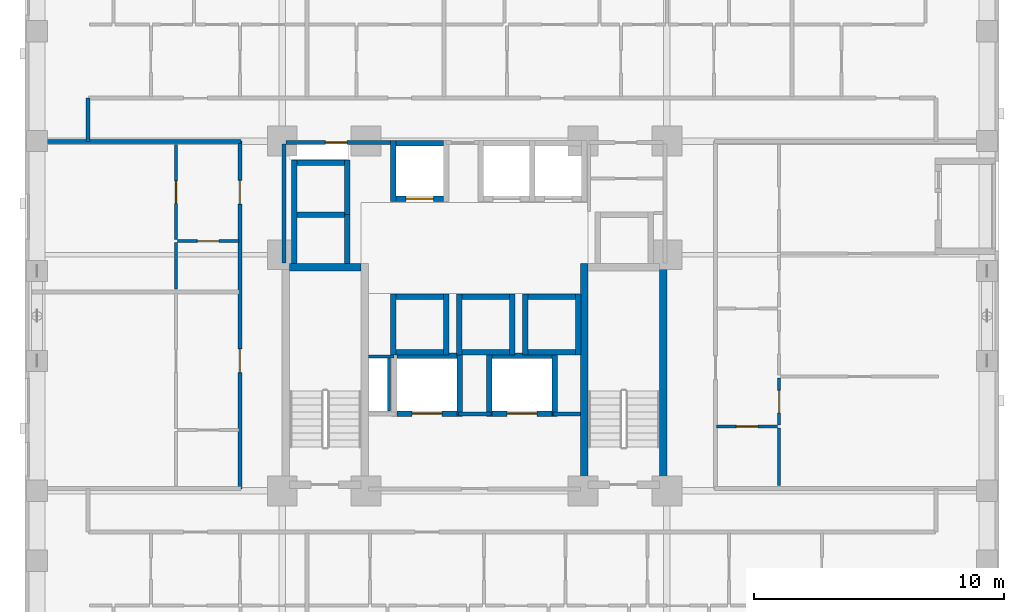
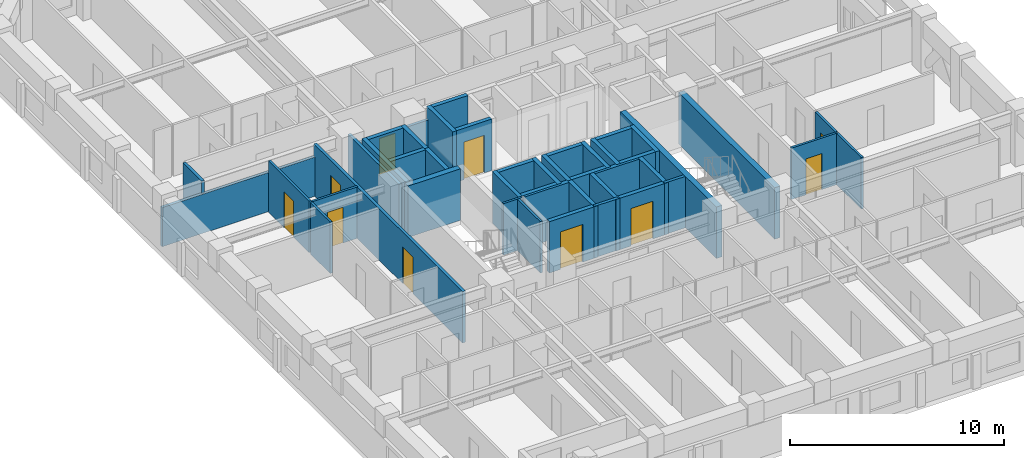
# One storey, part 5 of 14: 45 walls, 10 doors, 10 openings.
"""IFC4 building model written with IfcOpenShell, lengths in metres."""

from ifc_helpers import new_model, si_unit, derived_unit, direction, frame, frame_2d, origin, place, context, subcontext, project, spatial, rectangle, extrude, material, layer, layer_set, type_object, element, fill, save


model = new_model("IFC4")

# Units and contexts
model_context = context("Model", 3, precision=1e-05, world=origin(), true_north=direction((0.0, 1.0)))
body_context = subcontext(model_context, "Body", "Model", "MODEL_VIEW")
ifc_project = project(units=[si_unit("LENGTHUNIT", "METRE"), si_unit("AREAUNIT", "SQUARE_METRE"), si_unit("VOLUMEUNIT", "CUBIC_METRE"), si_unit("PLANEANGLEUNIT", "RADIAN"), si_unit("MASSUNIT", "GRAM", prefix="KILO"), derived_unit("THERMALTRANSMITTANCEUNIT", [(si_unit("MASSUNIT", "GRAM", prefix="KILO"), 1), (si_unit("TIMEUNIT", "SECOND"), -3), (si_unit("THERMODYNAMICTEMPERATUREUNIT", "KELVIN"), -1)])], contexts=[model_context])

# Site, building, storey
site_placement = place(None, origin())
site = spatial("IfcSite", under=ifc_project, at=site_placement, CompositionType="ELEMENT")
building_placement = place(site_placement, origin())
building = spatial("IfcBuilding", under=site, at=building_placement, Name="Korrvale Station Residences", CompositionType="ELEMENT")
storey_placement = place(building_placement, frame((0.0, 0.0, 61.0)))
storey = spatial("IfcBuildingStorey", under=building, at=storey_placement, Name="L16", CompositionType="ELEMENT", Elevation=61.0)

# Walls
ifc_material_1 = material(Name="Concrete C70/85", Category="concrete")
ifc_layer_1 = layer(ifc_material_1, 0.300048828125, Name="Concrete C70/85")
ifc_layer_set_1 = layer_set([ifc_layer_1], Name="Concrete C70/85")
wall_type_1 = type_object("IfcWallType", Name="WAL-CORE-300-C70", PredefinedType="SHEAR", material=ifc_layer_set_1)
wall_1_placement = place(storey_placement, frame((18.10009765625, 23.949951171875, 0.0), z_axis=(0.0, 0.0, 1.0), x_axis=(1.0, 0.0, 0.0)))
element("IfcWall", 1, at=wall_1_placement, inside=storey, type_object=wall_type_1, Name="L16 ST-1 Core Shear Wall North", PredefinedType="SHEAR", context=body_context, shape_type="SweptSolid", body=[
    extrude(rectangle(XDim=2.849853515625, YDim=0.300048828125, at=frame_2d((1.4248046875, 0.0))), origin(), (0.0, 0.0, 1.0), 2.93994140625),
])
for number, where, z_axis, x_axis, name in (
    (2, (29.89990234375, 15.10009765625, 0.0), (0.0, 0.0, 1.0), (0.0, 1.0, 0.0), "L16 ST-2 Core Shear Wall West"),
    (3, (33.050048828125, 15.10009765625, 0.0), (0.0, 0.0, 1.0), (0.0, 1.0, 0.0), "L16 ST-2 Core Shear Wall East"),
):
    element("IfcWall", number, at=place(storey_placement, frame(where, z_axis=z_axis, x_axis=x_axis)), inside=storey, type_object=wall_type_1, Name=name, PredefinedType="SHEAR", context=body_context, shape_type="SweptSolid", body=[
        extrude(rectangle(XDim=9.0, YDim=0.300048828125, at=frame_2d((4.5, 0.0))), origin(), (0.0, 0.0, 1.0), 2.93994140625),
    ])
ifc_material_2 = material(Name="Acoustic steel-stud gypsum board partition", Category="steel")
ifc_layer_2 = layer(ifc_material_2, 0.1201171875, Name="Acoustic steel-stud gypsum board partition")
ifc_layer_set_2 = layer_set([ifc_layer_2], Name="Acoustic steel-stud gypsum board partition")
wall_type_2 = type_object("IfcWallType", Name="WAL-PART-125", PredefinedType="PARTITIONING", material=ifc_layer_set_2)
wall_2_placement = place(storey_placement, frame((22.080078125, 18.199951171875, 0.0), z_axis=(0.0, 0.0, 1.0), x_axis=(0.0, 1.0, 0.0)))
element("IfcWall", 4, at=wall_2_placement, inside=storey, type_object=wall_type_2, Name="L16 Core Partition CW-RSWT", PredefinedType="PARTITIONING", context=body_context, shape_type="SweptSolid", body=[
    extrude(rectangle(XDim=2.1201171875, YDim=0.1201171875, at=frame_2d((1.06005859375, 0.0))), origin(), (0.0, 0.0, 1.0), 2.93994140625),
])
wall_3_placement = place(storey_placement, frame((22.280029296875, 20.3798828125, 0.0), z_axis=(0.0, 0.0, 1.0), x_axis=(-1.0, 0.0, 0.0)))
element("IfcWall", 5, at=wall_3_placement, inside=storey, type_object=wall_type_2, Name="L16 Core Partition CW-RSWT-N", PredefinedType="PARTITIONING", context=body_context, shape_type="SweptSolid", body=[
    extrude(rectangle(XDim=1.02001953125, YDim=0.1201171875, at=frame_2d((0.510009765625, 0.0))), origin(), (0.0, 0.0, 1.0), 2.93994140625),
])

# Wall, opening, door
wall_4_placement = place(storey_placement, frame((13.610107421875, 24.991943359375, 0.0), z_axis=(0.0, 0.0, 1.0), x_axis=(1.0, 0.0, 0.0)))
wall_4 = element("IfcWall", 6, at=wall_4_placement, inside=storey, type_object=wall_type_2, Name="L16 Suite Partition U08-H01", PredefinedType="PARTITIONING", context=body_context, shape_type="SweptSolid", body=[
    extrude(rectangle(XDim=2.449951171875, YDim=0.1201171875, at=frame_2d((1.22509765625, 0.0))), origin(), (0.0, 0.0, 1.0), 2.93994140625),
])
opening_1_placement = place(wall_4_placement, frame((0.794921875, 0.0, 0.0)))
opening_1 = element("IfcOpeningElement", 7, at=opening_1_placement, cuts=wall_4, Name="Opening DB-860", PredefinedType="OPENING", context=body_context, shape_type="SweptSolid", body=[
    extrude(rectangle(XDim=0.860107421875, YDim=2.050048828125, at=frame_2d((0.43017578125, 1.02490234375))), frame((0.0, 0.070068359375, 0.0), z_axis=(0.0, -1.0, 0.0), x_axis=(1.0, 0.0, 0.0)), (0.0, 0.0, 1.0), 0.14013671875),
])
ifc_material_3 = material(Name="Moisture-resistant solid-core bathroom door", Category="timber")
door_type_1 = type_object("IfcDoorType", Name="DR-BATH-860", OperationType="NOTDEFINED", PredefinedType="DOOR", material=ifc_material_3)
door_1_placement = place(opening_1_placement, origin())
door_1 = element("IfcDoor", 8, at=door_1_placement, inside=storey, type_object=door_type_1, Name="L16 Apartment 1BR L16-U08 Bathroom Door", OperationType="SINGLE_SWING_RIGHT", OverallHeight=2.050048828125, OverallWidth=0.860107421875, PredefinedType="DOOR", context=body_context, shape_type="SweptSolid", body=[
    extrude(rectangle(XDim=0.860107421875, YDim=2.050048828125, at=frame_2d((0.43017578125, 1.02490234375))), frame((0.0, 0.02490234375, 0.0), z_axis=(0.0, -1.0, 0.0), x_axis=(1.0, 0.0, 0.0)), (0.0, 0.0, 1.0), 0.050048828125),
])
fill(opening_1, door_1)

# Wall
wall_5_placement = place(storey_placement, frame((13.550048828125, 23.08203125, 0.0), z_axis=(0.0, 0.0, 1.0), x_axis=(0.0, 1.0, 0.0)))
element("IfcWall", 9, at=wall_5_placement, inside=storey, type_object=wall_type_2, Name="L16 Suite Partition U08-V02", PredefinedType="PARTITIONING", context=body_context, shape_type="SweptSolid", body=[
    extrude(rectangle(XDim=1.849853515625, YDim=0.1201171875, at=frame_2d((0.9248046875, 0.0))), origin(), (0.0, 0.0, 1.0), 2.93994140625),
])

# Wall, opening, door
wall_6_placement = place(storey_placement, frame((13.550048828125, 25.052001953125, 0.0), z_axis=(0.0, 0.0, 1.0), x_axis=(0.0, 1.0, 0.0)))
wall_6 = element("IfcWall", 10, at=wall_6_placement, inside=storey, type_object=wall_type_2, Name="L16 Suite Partition U08-V12", PredefinedType="PARTITIONING", context=body_context, shape_type="SweptSolid", body=[
    extrude(rectangle(XDim=3.80810546875, YDim=0.1201171875, at=frame_2d((1.904052734375, 0.0))), origin(), (0.0, 0.0, 1.0), 2.93994140625),
])
opening_2_placement = place(wall_6_placement, frame((1.4541015625, 0.0, 0.0)))
opening_2 = element("IfcOpeningElement", 11, at=opening_2_placement, cuts=wall_6, Name="Opening DI-900", PredefinedType="OPENING", context=body_context, shape_type="SweptSolid", body=[
    extrude(rectangle(XDim=0.89990234375, YDim=2.050048828125, at=frame_2d((0.449951171875, 1.02490234375))), frame((0.0, 0.070068359375, 0.0), z_axis=(0.0, -1.0, 0.0), x_axis=(1.0, 0.0, 0.0)), (0.0, 0.0, 1.0), 0.14013671875),
])
ifc_material_4 = material(Name="Painted solid-core timber interior room door", Category="wood")
door_type_2 = type_object("IfcDoorType", Name="DR-INT-900", OperationType="NOTDEFINED", PredefinedType="DOOR", material=ifc_material_4)
door_2_placement = place(opening_2_placement, origin())
door_2 = element("IfcDoor", 12, at=door_2_placement, inside=storey, type_object=door_type_2, Name="L16 Apartment 1BR L16-U08 Kitchen Door", OperationType="SINGLE_SWING_LEFT", OverallHeight=2.050048828125, OverallWidth=0.89990234375, PredefinedType="DOOR", context=body_context, shape_type="SweptSolid", body=[
    extrude(rectangle(XDim=0.89990234375, YDim=2.050048828125, at=frame_2d((0.449951171875, 1.02490234375))), frame((0.0, 0.02490234375, 0.0), z_axis=(0.0, -1.0, 0.0), x_axis=(1.0, 0.0, 0.0)), (0.0, 0.0, 1.0), 0.050048828125),
])
fill(opening_2, door_2)

wall_7_placement = place(storey_placement, frame((35.18994140625, 17.570068359375, 0.0), z_axis=(0.0, 0.0, 1.0), x_axis=(1.0, 0.0, 0.0)))
wall_7 = element("IfcWall", 13, at=wall_7_placement, inside=storey, type_object=wall_type_2, Name="L16 Suite Partition U09-H12", PredefinedType="PARTITIONING", context=body_context, shape_type="SweptSolid", body=[
    extrude(rectangle(XDim=2.449951171875, YDim=0.1201171875, at=frame_2d((1.22509765625, 0.0))), origin(), (0.0, 0.0, 1.0), 2.93994140625),
])
opening_3_placement = place(wall_7_placement, frame((0.794921875, 0.0, 0.0)))
opening_3 = element("IfcOpeningElement", 14, at=opening_3_placement, cuts=wall_7, Name="Opening DB-860", PredefinedType="OPENING", context=body_context, shape_type="SweptSolid", body=[
    extrude(rectangle(XDim=0.860107421875, YDim=2.050048828125, at=frame_2d((0.43017578125, 1.02490234375))), frame((0.0, 0.070068359375, 0.0), z_axis=(0.0, -1.0, 0.0), x_axis=(1.0, 0.0, 0.0)), (0.0, 0.0, 1.0), 0.14013671875),
])
door_3_placement = place(opening_3_placement, origin())
door_3 = element("IfcDoor", 15, at=door_3_placement, inside=storey, type_object=door_type_1, Name="L16 Apartment 2BR L16-U09 Bathroom Door", OperationType="SINGLE_SWING_LEFT", OverallHeight=2.050048828125, OverallWidth=0.860107421875, PredefinedType="DOOR", context=body_context, shape_type="SweptSolid", body=[
    extrude(rectangle(XDim=0.860107421875, YDim=2.050048828125, at=frame_2d((0.43017578125, 1.02490234375))), frame((0.0, 0.02490234375, 0.0), z_axis=(0.0, -1.0, 0.0), x_axis=(1.0, 0.0, 0.0)), (0.0, 0.0, 1.0), 0.050048828125),
])
fill(opening_3, door_3)

# Wall
wall_8_placement = place(storey_placement, frame((37.699951171875, 15.2099609375, 0.0), z_axis=(0.0, 0.0, 1.0), x_axis=(0.0, 1.0, 0.0)))
element("IfcWall", 16, at=wall_8_placement, inside=storey, type_object=wall_type_2, Name="L16 Suite Partition U09-V13", PredefinedType="PARTITIONING", context=body_context, shape_type="SweptSolid", body=[
    extrude(rectangle(XDim=2.300048828125, YDim=0.1201171875, at=frame_2d((1.14990234375, 0.0))), origin(), (0.0, 0.0, 1.0), 2.93994140625),
])

# Wall, opening, door
wall_9_placement = place(storey_placement, frame((37.699951171875, 17.6298828125, 0.0), z_axis=(0.0, 0.0, 1.0), x_axis=(0.0, 1.0, 0.0)))
wall_9 = element("IfcWall", 17, at=wall_9_placement, inside=storey, type_object=wall_type_2, Name="L16 Suite Partition U09-V23", PredefinedType="PARTITIONING", context=body_context, shape_type="SweptSolid", body=[
    extrude(rectangle(XDim=1.88818359375, YDim=0.1201171875, at=frame_2d((0.944091796875, 0.0))), origin(), (0.0, 0.0, 1.0), 2.93994140625),
])
opening_4_placement = place(wall_9_placement, frame((0.493896484375, 0.0, 0.0)))
opening_4 = element("IfcOpeningElement", 18, at=opening_4_placement, cuts=wall_9, Name="Opening DI-900", PredefinedType="OPENING", context=body_context, shape_type="SweptSolid", body=[
    extrude(rectangle(XDim=0.89990234375, YDim=2.050048828125, at=frame_2d((0.449951171875, 1.02490234375))), frame((0.0, 0.070068359375, 0.0), z_axis=(0.0, -1.0, 0.0), x_axis=(1.0, 0.0, 0.0)), (0.0, 0.0, 1.0), 0.14013671875),
])
door_4_placement = place(opening_4_placement, origin())
door_4 = element("IfcDoor", 19, at=door_4_placement, inside=storey, type_object=door_type_2, Name="L16 Apartment 2BR L16-U09 Kitchen Door", OperationType="SINGLE_SWING_RIGHT", OverallHeight=2.050048828125, OverallWidth=0.89990234375, PredefinedType="DOOR", context=body_context, shape_type="SweptSolid", body=[
    extrude(rectangle(XDim=0.89990234375, YDim=2.050048828125, at=frame_2d((0.449951171875, 1.02490234375))), frame((0.0, 0.02490234375, 0.0), z_axis=(0.0, -1.0, 0.0), x_axis=(1.0, 0.0, 0.0)), (0.0, 0.0, 1.0), 0.050048828125),
])
fill(opening_4, door_4)

# Walls
ifc_material_5 = material(Name="Fire-rated twin-stud gypsum and mineral wool shaftwall assembly", Category="gypsum")
ifc_layer_3 = layer(ifc_material_5, 0.159912109375, Name="Fire-rated twin-stud gypsum and mineral wool shaftwall assembly")
ifc_layer_set_3 = layer_set([ifc_layer_3], Name="Fire-rated twin-stud gypsum and mineral wool shaftwall assembly")
wall_type_3 = type_object("IfcWallType", Name="WAL-PART-200", PredefinedType="PARTITIONING", material=ifc_layer_set_3)
wall_10_placement = place(storey_placement, frame((24.85009765625, 18.080078125, 0.0), z_axis=(0.0, 0.0, 1.0), x_axis=(1.0, 0.0, 0.0)))
element("IfcWall", 20, at=wall_10_placement, inside=storey, type_object=wall_type_3, Name="L16 Core Partition CW-FFL-N2", PredefinedType="PARTITIONING", context=body_context, shape_type="SweptSolid", body=[
    extrude(rectangle(XDim=1.2998046875, YDim=0.159912109375, at=frame_2d((0.64990234375, 0.0))), origin(), (0.0, 0.0, 1.0), 2.93994140625),
])
wall_11_placement = place(storey_placement, frame((28.64990234375, 18.080078125, 0.0), z_axis=(0.0, 0.0, 1.0), x_axis=(1.0, 0.0, 0.0)))
element("IfcWall", 21, at=wall_11_placement, inside=storey, type_object=wall_type_3, Name="L16 Core Partition CW-FFL-N3", PredefinedType="PARTITIONING", context=body_context, shape_type="SweptSolid", body=[
    extrude(rectangle(XDim=1.10009765625, YDim=0.159912109375, at=frame_2d((0.550048828125, 0.0))), origin(), (0.0, 0.0, 1.0), 2.93994140625),
])
wall_12_placement = place(storey_placement, frame((17.8798828125, 24.1201171875, 0.0), z_axis=(0.0, 0.0, 1.0), x_axis=(0.0, 1.0, 0.0)))
element("IfcWall", 22, at=wall_12_placement, inside=storey, type_object=wall_type_3, Name="L16 Core Partition CW-W-N", PredefinedType="PARTITIONING", context=body_context, shape_type="SweptSolid", body=[
    extrude(rectangle(XDim=4.759765625, YDim=0.159912109375, at=frame_2d((2.3798828125, 0.0))), origin(), (0.0, 0.0, 1.0), 2.93994140625),
])

# Wall, opening, door
wall_13_placement = place(storey_placement, frame((17.9599609375, 28.949951171875, 0.0), z_axis=(0.0, 0.0, 1.0), x_axis=(1.0, 0.0, 0.0)))
wall_13 = element("IfcWall", 23, at=wall_13_placement, inside=storey, type_object=wall_type_3, Name="L16 Core Partition CW-NW", PredefinedType="PARTITIONING", context=body_context, shape_type="SweptSolid", body=[
    extrude(rectangle(XDim=4.2900390625, YDim=0.159912109375, at=frame_2d((2.14501953125, 0.0))), origin(), (0.0, 0.0, 1.0), 2.23193359375),
])
opening_5_placement = place(wall_13_placement, frame((1.570068359375, 0.0, 0.0)))
opening_5 = element("IfcOpeningElement", 24, at=opening_5_placement, cuts=wall_13, Name="Opening DB-860", PredefinedType="OPENING", context=body_context, shape_type="SweptSolid", body=[
    extrude(rectangle(XDim=0.860107421875, YDim=2.050048828125, at=frame_2d((0.43017578125, 1.02490234375))), frame((0.0, 0.08984375, 0.0), z_axis=(0.0, -1.0, 0.0), x_axis=(1.0, 0.0, 0.0)), (0.0, 0.0, 1.0), 0.179931640625),
])
door_5_placement = place(opening_5_placement, origin())
door_5 = element("IfcDoor", 25, at=door_5_placement, inside=storey, type_object=door_type_1, Name="L16 Electrical Riser Access Door", OperationType="SINGLE_SWING_RIGHT", OverallHeight=2.050048828125, OverallWidth=0.860107421875, PredefinedType="DOOR", context=body_context, shape_type="SweptSolid", body=[
    extrude(rectangle(XDim=0.860107421875, YDim=2.050048828125, at=frame_2d((0.43017578125, 1.02490234375))), frame((0.0, 0.02490234375, 0.0), z_axis=(0.0, -1.0, 0.0), x_axis=(1.0, 0.0, 0.0)), (0.0, 0.0, 1.0), 0.050048828125),
])
fill(opening_5, door_5)

# Walls
wall_14_placement = place(storey_placement, frame((10.02001953125, 28.97998046875, 0.0), z_axis=(0.0, 0.0, 1.0), x_axis=(0.0, 1.0, 0.0)))
element("IfcWall", 26, at=wall_14_placement, inside=storey, type_object=wall_type_3, Name="L16 Corridor North West Cap", PredefinedType="PARTITIONING", context=body_context, shape_type="SweptSolid", body=[
    extrude(rectangle(XDim=1.739990234375, YDim=0.159912109375, at=frame_2d((0.8701171875, 0.0))), origin(), (0.0, 0.0, 1.0), 2.93994140625),
])
wall_15_placement = place(storey_placement, frame((7.780029296875, 28.97998046875, 0.0), z_axis=(0.0, 0.0, 1.0), x_axis=(1.0, 0.0, 0.0)))
element("IfcWall", 27, at=wall_15_placement, inside=storey, type_object=wall_type_3, Name="L16 West Wing North Corridor Wall", PredefinedType="PARTITIONING", context=body_context, shape_type="SweptSolid", body=[
    extrude(rectangle(XDim=8.35986328125, YDim=0.159912109375, at=frame_2d((4.179931640625, 0.0))), origin(), (0.0, 0.0, 1.0), 2.23193359375),
])

# Wall, openings, doors
wall_16_placement = place(storey_placement, frame((16.10009765625, 15.070068359375, 0.0), z_axis=(0.0, 0.0, 1.0), x_axis=(0.0, 1.0, 0.0)))
wall_16 = element("IfcWall", 28, at=wall_16_placement, inside=storey, type_object=wall_type_3, Name="L16 Rated Corridor Wall W", PredefinedType="PARTITIONING", context=body_context, shape_type="SweptSolid", body=[
    extrude(rectangle(XDim=13.929931640625, YDim=0.159912109375, at=frame_2d((6.96484375, 0.0))), origin(), (0.0, 0.0, 1.0), 2.93994140625),
])
opening_6_placement = place(wall_16_placement, frame((4.660888671875, 0.0, 0.0)))
opening_6 = element("IfcOpeningElement", 29, at=opening_6_placement, cuts=wall_16, Name="Opening UD-950", PredefinedType="OPENING", context=body_context, shape_type="SweptSolid", body=[
    extrude(rectangle(XDim=0.949951171875, YDim=2.10009765625, at=frame_2d((0.47509765625, 1.050048828125))), frame((0.0, 0.08984375, 0.0), z_axis=(0.0, -1.0, 0.0), x_axis=(1.0, 0.0, 0.0)), (0.0, 0.0, 1.0), 0.179931640625),
])
opening_7_placement = place(wall_16_placement, frame((11.410888671875, 0.0, 0.0)))
opening_7 = element("IfcOpeningElement", 30, at=opening_7_placement, cuts=wall_16, Name="Opening UD-950", PredefinedType="OPENING", context=body_context, shape_type="SweptSolid", body=[
    extrude(rectangle(XDim=0.949951171875, YDim=2.10009765625, at=frame_2d((0.47509765625, 1.050048828125))), frame((0.0, 0.08984375, 0.0), z_axis=(0.0, -1.0, 0.0), x_axis=(1.0, 0.0, 0.0)), (0.0, 0.0, 1.0), 0.179931640625),
])
ifc_material_6 = material(Name="Solid-core acoustic oak apartment entrance door", Category="timber")
door_type_3 = type_object("IfcDoorType", Name="DR-UNIT-950", OperationType="NOTDEFINED", PredefinedType="DOOR", material=ifc_material_6)
door_6_placement = place(opening_6_placement, origin())
door_6 = element("IfcDoor", 31, at=door_6_placement, inside=storey, type_object=door_type_3, Name="L16 Apartment L16-U07 Entrance Door", OperationType="SINGLE_SWING_RIGHT", OverallHeight=2.10009765625, OverallWidth=0.949951171875, PredefinedType="DOOR", context=body_context, shape_type="SweptSolid", body=[
    extrude(rectangle(XDim=0.949951171875, YDim=2.10009765625, at=frame_2d((0.47509765625, 1.050048828125))), frame((0.0, 0.02490234375, 0.0), z_axis=(0.0, -1.0, 0.0), x_axis=(1.0, 0.0, 0.0)), (0.0, 0.0, 1.0), 0.050048828125),
])
fill(opening_6, door_6)
door_7_placement = place(opening_7_placement, origin())
door_7 = element("IfcDoor", 32, at=door_7_placement, inside=storey, type_object=door_type_3, Name="L16 Apartment L16-U08 Entrance Door", OperationType="SINGLE_SWING_LEFT", OverallHeight=2.10009765625, OverallWidth=0.949951171875, PredefinedType="DOOR", context=body_context, shape_type="SweptSolid", body=[
    extrude(rectangle(XDim=0.949951171875, YDim=2.10009765625, at=frame_2d((0.47509765625, 1.050048828125))), frame((0.0, 0.02490234375, 0.0), z_axis=(0.0, -1.0, 0.0), x_axis=(1.0, 0.0, 0.0)), (0.0, 0.0, 1.0), 0.050048828125),
])
fill(opening_7, door_7)

# Wall, opening, door
ifc_layer_4 = layer(ifc_material_1, 0.219970703125, Name="Concrete C70/85")
ifc_layer_set_4 = layer_set([ifc_layer_4], Name="Concrete C70/85")
wall_type_4 = type_object("IfcWallType", Name="WAL-SHAFT-220-C70", PredefinedType="SHEAR", material=ifc_layer_set_4)
wall_17_placement = place(storey_placement, frame((22.35009765625, 26.68994140625, 0.0), z_axis=(0.0, 0.0, 1.0), x_axis=(1.0, 0.0, 0.0)))
wall_17 = element("IfcWall", 33, at=wall_17_placement, inside=storey, type_object=wall_type_4, Name="L16 Elevator PL-1 Hoistway Wall South", PredefinedType="SHEAR", context=body_context, shape_type="SweptSolid", body=[
    extrude(rectangle(XDim=1.89990234375, YDim=0.219970703125, at=frame_2d((0.949951171875, 0.0))), origin(), (0.0, 0.0, 1.0), 2.93994140625),
])
opening_8_placement = place(wall_17_placement, frame((0.39990234375, 0.0, 0.0)))
opening_8 = element("IfcOpeningElement", 34, at=opening_8_placement, cuts=wall_17, Name="Opening LD-1100", PredefinedType="OPENING", context=body_context, shape_type="SweptSolid", body=[
    extrude(rectangle(XDim=1.10009765625, YDim=2.14990234375, at=frame_2d((0.550048828125, 1.074951171875))), frame((0.0, 0.1201171875, 0.0), z_axis=(0.0, -1.0, 0.0), x_axis=(1.0, 0.0, 0.0)), (0.0, 0.0, 1.0), 0.239990234375),
])
ifc_material_7 = material(Name="Brushed stainless-steel elevator landing sliding door", Category="steel")
door_type_4 = type_object("IfcDoorType", Name="DR-LIFT-1100", OperationType="SLIDING_TO_LEFT", PredefinedType="DOOR", material=ifc_material_7)
door_8_placement = place(opening_8_placement, origin())
door_8 = element("IfcDoor", 35, at=door_8_placement, inside=storey, type_object=door_type_4, Name="L16 Elevator PL-1 Sliding Landing Door", OperationType="SLIDING_TO_LEFT", OverallHeight=2.14990234375, OverallWidth=1.10009765625, PredefinedType="DOOR", context=body_context, shape_type="SweptSolid", body=[
    extrude(rectangle(XDim=1.10009765625, YDim=2.14990234375, at=frame_2d((0.550048828125, 1.074951171875))), frame((0.0, 0.02490234375, 0.0), z_axis=(0.0, -1.0, 0.0), x_axis=(1.0, 0.0, 0.0)), (0.0, 0.0, 1.0), 0.050048828125),
])
fill(opening_8, door_8)

# Walls
wall_18_placement = place(storey_placement, frame((22.35009765625, 28.909912109375, 0.0), z_axis=(0.0, 0.0, 1.0), x_axis=(1.0, 0.0, 0.0)))
element("IfcWall", 36, at=wall_18_placement, inside=storey, type_object=wall_type_4, Name="L16 Elevator PL-1 Hoistway Wall North", PredefinedType="SHEAR", context=body_context, shape_type="SweptSolid", body=[
    extrude(rectangle(XDim=1.89990234375, YDim=0.219970703125, at=frame_2d((0.949951171875, 0.0))), origin(), (0.0, 0.0, 1.0), 2.93994140625),
])
wall_19_placement = place(storey_placement, frame((22.239990234375, 26.580078125, 0.0), z_axis=(0.0, 0.0, 1.0), x_axis=(0.0, 1.0, 0.0)))
element("IfcWall", 37, at=wall_19_placement, inside=storey, type_object=wall_type_4, Name="L16 Elevator PL-1 Hoistway Wall West", PredefinedType="SHEAR", context=body_context, shape_type="SweptSolid", body=[
    extrude(rectangle(XDim=2.43994140625, YDim=0.219970703125, at=frame_2d((1.219970703125, 0.0))), origin(), (0.0, 0.0, 1.0), 2.93994140625),
])
for number, where, z_axis, x_axis, name in (
    (38, (22.35009765625, 20.5400390625, 0.0), (0.0, 0.0, 1.0), (1.0, 0.0, 0.0), "L16 Elevator PM-1 Hoistway Wall South"),
    (39, (22.35009765625, 22.760009765625, 0.0), (0.0, 0.0, 1.0), (1.0, 0.0, 0.0), "L16 Elevator PM-1 Hoistway Wall North"),
):
    element("IfcWall", number, at=place(storey_placement, frame(where, z_axis=z_axis, x_axis=x_axis)), inside=storey, type_object=wall_type_4, Name=name, PredefinedType="SHEAR", context=body_context, shape_type="SweptSolid", body=[
        extrude(rectangle(XDim=1.89990234375, YDim=0.219970703125, at=frame_2d((0.949951171875, 0.0))), origin(), (0.0, 0.0, 1.0), 2.93994140625),
    ])
for number, where, z_axis, x_axis, name in (
    (40, (22.239990234375, 20.429931640625, 0.0), (0.0, 0.0, 1.0), (0.0, 1.0, 0.0), "L16 Elevator PM-1 Hoistway Wall West"),
    (41, (24.360107421875, 20.429931640625, 0.0), (0.0, 0.0, 1.0), (0.0, 1.0, 0.0), "L16 Elevator PM-1 Hoistway Wall East"),
):
    element("IfcWall", number, at=place(storey_placement, frame(where, z_axis=z_axis, x_axis=x_axis)), inside=storey, type_object=wall_type_4, Name=name, PredefinedType="SHEAR", context=body_context, shape_type="SweptSolid", body=[
        extrude(rectangle(XDim=2.440185546875, YDim=0.219970703125, at=frame_2d((1.22021484375, 0.0))), origin(), (0.0, 0.0, 1.0), 2.93994140625),
    ])
for number, where, z_axis, x_axis, name in (
    (42, (25.0, 20.5400390625, 0.0), (0.0, 0.0, 1.0), (1.0, 0.0, 0.0), "L16 Elevator PM-2 Hoistway Wall South"),
    (43, (25.0, 22.760009765625, 0.0), (0.0, 0.0, 1.0), (1.0, 0.0, 0.0), "L16 Elevator PM-2 Hoistway Wall North"),
):
    element("IfcWall", number, at=place(storey_placement, frame(where, z_axis=z_axis, x_axis=x_axis)), inside=storey, type_object=wall_type_4, Name=name, PredefinedType="SHEAR", context=body_context, shape_type="SweptSolid", body=[
        extrude(rectangle(XDim=1.89990234375, YDim=0.219970703125, at=frame_2d((0.949951171875, 0.0))), origin(), (0.0, 0.0, 1.0), 2.93994140625),
    ])
for number, where, z_axis, x_axis, name in (
    (44, (24.889892578125, 20.429931640625, 0.0), (0.0, 0.0, 1.0), (0.0, 1.0, 0.0), "L16 Elevator PM-2 Hoistway Wall West"),
    (45, (27.010009765625, 20.429931640625, 0.0), (0.0, 0.0, 1.0), (0.0, 1.0, 0.0), "L16 Elevator PM-2 Hoistway Wall East"),
):
    element("IfcWall", number, at=place(storey_placement, frame(where, z_axis=z_axis, x_axis=x_axis)), inside=storey, type_object=wall_type_4, Name=name, PredefinedType="SHEAR", context=body_context, shape_type="SweptSolid", body=[
        extrude(rectangle(XDim=2.440185546875, YDim=0.219970703125, at=frame_2d((1.22021484375, 0.0))), origin(), (0.0, 0.0, 1.0), 2.93994140625),
    ])
for number, where, z_axis, x_axis, name in (
    (46, (27.64990234375, 20.5400390625, 0.0), (0.0, 0.0, 1.0), (1.0, 0.0, 0.0), "L16 Elevator PM-3 Hoistway Wall South"),
    (47, (27.64990234375, 22.760009765625, 0.0), (0.0, 0.0, 1.0), (1.0, 0.0, 0.0), "L16 Elevator PM-3 Hoistway Wall North"),
):
    element("IfcWall", number, at=place(storey_placement, frame(where, z_axis=z_axis, x_axis=x_axis)), inside=storey, type_object=wall_type_4, Name=name, PredefinedType="SHEAR", context=body_context, shape_type="SweptSolid", body=[
        extrude(rectangle(XDim=1.900146484375, YDim=0.219970703125, at=frame_2d((0.9501953125, 0.0))), origin(), (0.0, 0.0, 1.0), 2.93994140625),
    ])
for number, where, z_axis, x_axis, name in (
    (48, (27.5400390625, 20.429931640625, 0.0), (0.0, 0.0, 1.0), (0.0, 1.0, 0.0), "L16 Elevator PM-3 Hoistway Wall West"),
    (49, (29.659912109375, 20.429931640625, 0.0), (0.0, 0.0, 1.0), (0.0, 1.0, 0.0), "L16 Elevator PM-3 Hoistway Wall East"),
):
    element("IfcWall", number, at=place(storey_placement, frame(where, z_axis=z_axis, x_axis=x_axis)), inside=storey, type_object=wall_type_4, Name=name, PredefinedType="SHEAR", context=body_context, shape_type="SweptSolid", body=[
        extrude(rectangle(XDim=2.440185546875, YDim=0.219970703125, at=frame_2d((1.22021484375, 0.0))), origin(), (0.0, 0.0, 1.0), 2.93994140625),
    ])
wall_20_placement = place(storey_placement, frame((18.2900390625, 24.10009765625, 0.0), z_axis=(0.0, 0.0, 1.0), x_axis=(0.0, 1.0, 0.0)))
element("IfcWall", 50, at=wall_20_placement, inside=storey, type_object=wall_type_4, Name="L16 Elevator PH-1 Hoistway Wall West", PredefinedType="SHEAR", context=body_context, shape_type="SweptSolid", body=[
    extrude(rectangle(XDim=4.139892578125, YDim=0.219970703125, at=frame_2d((2.06982421875, 0.0))), origin(), (0.0, 0.0, 1.0), 2.93994140625),
])
wall_21_placement = place(storey_placement, frame((20.409912109375, 24.10009765625, 0.0), z_axis=(0.0, 0.0, 1.0), x_axis=(0.0, 1.0, 0.0)))
element("IfcWall", 51, at=wall_21_placement, inside=storey, type_object=wall_type_4, Name="L16 Elevator PH-1 Hoistway Wall East", PredefinedType="SHEAR", context=body_context, shape_type="SweptSolid", body=[
    extrude(rectangle(XDim=1.9599609375, YDim=0.219970703125, at=frame_2d((0.97998046875, 0.0))), origin(), (0.0, 0.0, 1.0), 2.93994140625),
])
for number, where, z_axis, x_axis, name in (
    (52, (18.39990234375, 26.06005859375, 0.0), (0.0, 0.0, 1.0), (1.0, 0.0, 0.0), "L16 Elevator PH-2 Hoistway Wall South"),
    (53, (18.39990234375, 28.1298828125, 0.0), (0.0, 0.0, 1.0), (1.0, 0.0, 0.0), "L16 Elevator PH-2 Hoistway Wall North"),
):
    element("IfcWall", number, at=place(storey_placement, frame(where, z_axis=z_axis, x_axis=x_axis)), inside=storey, type_object=wall_type_4, Name=name, PredefinedType="SHEAR", context=body_context, shape_type="SweptSolid", body=[
        extrude(rectangle(XDim=1.900146484375, YDim=0.219970703125, at=frame_2d((0.9501953125, 0.0))), origin(), (0.0, 0.0, 1.0), 2.93994140625),
    ])
wall_22_placement = place(storey_placement, frame((20.409912109375, 26.06005859375, 0.0), z_axis=(0.0, 0.0, 1.0), x_axis=(0.0, 1.0, 0.0)))
element("IfcWall", 54, at=wall_22_placement, inside=storey, type_object=wall_type_4, Name="L16 Elevator PH-2 Hoistway Wall East", PredefinedType="SHEAR", context=body_context, shape_type="SweptSolid", body=[
    extrude(rectangle(XDim=2.179931640625, YDim=0.219970703125, at=frame_2d((1.08984375, 0.0))), origin(), (0.0, 0.0, 1.0), 2.93994140625),
])

# Wall, opening, door
wall_23_placement = place(storey_placement, frame((22.39990234375, 18.090087890625, 0.0), z_axis=(0.0, 0.0, 1.0), x_axis=(1.0, 0.0, 0.0)))
wall_23 = element("IfcWall", 55, at=wall_23_placement, inside=storey, type_object=wall_type_4, Name="L16 Elevator FFL-1 Hoistway Wall South", PredefinedType="SHEAR", context=body_context, shape_type="SweptSolid", body=[
    extrude(rectangle(XDim=2.400146484375, YDim=0.219970703125, at=frame_2d((1.2001953125, 0.0))), origin(), (0.0, 0.0, 1.0), 2.93994140625),
])
opening_9_placement = place(wall_23_placement, frame((0.60009765625, 0.0, 0.0)))
opening_9 = element("IfcOpeningElement", 56, at=opening_9_placement, cuts=wall_23, Name="Opening LD-FF1200", PredefinedType="OPENING", context=body_context, shape_type="SweptSolid", body=[
    extrude(rectangle(XDim=1.199951171875, YDim=2.14990234375, at=frame_2d((0.60009765625, 1.074951171875))), frame((0.0, 0.1201171875, 0.0), z_axis=(0.0, -1.0, 0.0), x_axis=(1.0, 0.0, 0.0)), (0.0, 0.0, 1.0), 0.239990234375),
])
ifc_material_8 = material(Name="Stainless-steel firefighter elevator landing sliding door", Category="steel")
door_type_5 = type_object("IfcDoorType", Name="DR-LIFT-FF1200", OperationType="SLIDING_TO_LEFT", PredefinedType="DOOR", material=ifc_material_8)
door_9_placement = place(opening_9_placement, origin())
door_9 = element("IfcDoor", 57, at=door_9_placement, inside=storey, type_object=door_type_5, Name="L16 Elevator FFL-1 Sliding Landing Door", OperationType="SLIDING_TO_LEFT", OverallHeight=2.14990234375, OverallWidth=1.199951171875, PredefinedType="DOOR", context=body_context, shape_type="SweptSolid", body=[
    extrude(rectangle(XDim=1.199951171875, YDim=2.14990234375, at=frame_2d((0.60009765625, 1.074951171875))), frame((0.0, 0.02490234375, 0.0), z_axis=(0.0, -1.0, 0.0), x_axis=(1.0, 0.0, 0.0)), (0.0, 0.0, 1.0), 0.050048828125),
])
fill(opening_9, door_9)

# Walls
wall_24_placement = place(storey_placement, frame((22.39990234375, 20.409912109375, 0.0), z_axis=(0.0, 0.0, 1.0), x_axis=(1.0, 0.0, 0.0)))
element("IfcWall", 58, at=wall_24_placement, inside=storey, type_object=wall_type_4, Name="L16 Elevator FFL-1 Hoistway Wall North", PredefinedType="SHEAR", context=body_context, shape_type="SweptSolid", body=[
    extrude(rectangle(XDim=2.400146484375, YDim=0.219970703125, at=frame_2d((1.2001953125, 0.0))), origin(), (0.0, 0.0, 1.0), 2.93994140625),
])
wall_25_placement = place(storey_placement, frame((24.909912109375, 17.97998046875, 0.0), z_axis=(0.0, 0.0, 1.0), x_axis=(0.0, 1.0, 0.0)))
element("IfcWall", 59, at=wall_25_placement, inside=storey, type_object=wall_type_4, Name="L16 Elevator FFL-1 Hoistway Wall East", PredefinedType="SHEAR", context=body_context, shape_type="SweptSolid", body=[
    extrude(rectangle(XDim=2.5400390625, YDim=0.219970703125, at=frame_2d((1.27001953125, 0.0))), origin(), (0.0, 0.0, 1.0), 2.93994140625),
])

# Wall, opening, door
wall_26_placement = place(storey_placement, frame((26.199951171875, 18.090087890625, 0.0), z_axis=(0.0, 0.0, 1.0), x_axis=(1.0, 0.0, 0.0)))
wall_26 = element("IfcWall", 60, at=wall_26_placement, inside=storey, type_object=wall_type_4, Name="L16 Elevator FFL-2 Hoistway Wall South", PredefinedType="SHEAR", context=body_context, shape_type="SweptSolid", body=[
    extrude(rectangle(XDim=2.400146484375, YDim=0.219970703125, at=frame_2d((1.2001953125, 0.0))), origin(), (0.0, 0.0, 1.0), 2.93994140625),
])
opening_10_placement = place(wall_26_placement, frame((0.60009765625, 0.0, 0.0)))
opening_10 = element("IfcOpeningElement", 61, at=opening_10_placement, cuts=wall_26, Name="Opening LD-FF1200", PredefinedType="OPENING", context=body_context, shape_type="SweptSolid", body=[
    extrude(rectangle(XDim=1.199951171875, YDim=2.14990234375, at=frame_2d((0.60009765625, 1.074951171875))), frame((0.0, 0.1201171875, 0.0), z_axis=(0.0, -1.0, 0.0), x_axis=(1.0, 0.0, 0.0)), (0.0, 0.0, 1.0), 0.239990234375),
])
door_10_placement = place(opening_10_placement, origin())
door_10 = element("IfcDoor", 62, at=door_10_placement, inside=storey, type_object=door_type_5, Name="L16 Elevator FFL-2 Sliding Landing Door", OperationType="SLIDING_TO_LEFT", OverallHeight=2.14990234375, OverallWidth=1.199951171875, PredefinedType="DOOR", context=body_context, shape_type="SweptSolid", body=[
    extrude(rectangle(XDim=1.199951171875, YDim=2.14990234375, at=frame_2d((0.60009765625, 1.074951171875))), frame((0.0, 0.02490234375, 0.0), z_axis=(0.0, -1.0, 0.0), x_axis=(1.0, 0.0, 0.0)), (0.0, 0.0, 1.0), 0.050048828125),
])
fill(opening_10, door_10)

# Walls
wall_27_placement = place(storey_placement, frame((26.199951171875, 20.409912109375, 0.0), z_axis=(0.0, 0.0, 1.0), x_axis=(1.0, 0.0, 0.0)))
element("IfcWall", 63, at=wall_27_placement, inside=storey, type_object=wall_type_4, Name="L16 Elevator FFL-2 Hoistway Wall North", PredefinedType="SHEAR", context=body_context, shape_type="SweptSolid", body=[
    extrude(rectangle(XDim=2.400146484375, YDim=0.219970703125, at=frame_2d((1.2001953125, 0.0))), origin(), (0.0, 0.0, 1.0), 2.93994140625),
])
for number, where, z_axis, x_axis, name in (
    (64, (26.090087890625, 17.97998046875, 0.0), (0.0, 0.0, 1.0), (0.0, 1.0, 0.0), "L16 Elevator FFL-2 Hoistway Wall West"),
    (65, (28.7099609375, 17.97998046875, 0.0), (0.0, 0.0, 1.0), (0.0, 1.0, 0.0), "L16 Elevator FFL-2 Hoistway Wall East"),
):
    element("IfcWall", number, at=place(storey_placement, frame(where, z_axis=z_axis, x_axis=x_axis)), inside=storey, type_object=wall_type_4, Name=name, PredefinedType="SHEAR", context=body_context, shape_type="SweptSolid", body=[
        extrude(rectangle(XDim=2.5400390625, YDim=0.219970703125, at=frame_2d((1.27001953125, 0.0))), origin(), (0.0, 0.0, 1.0), 2.93994140625),
    ])

save(model, "model.ifc")
